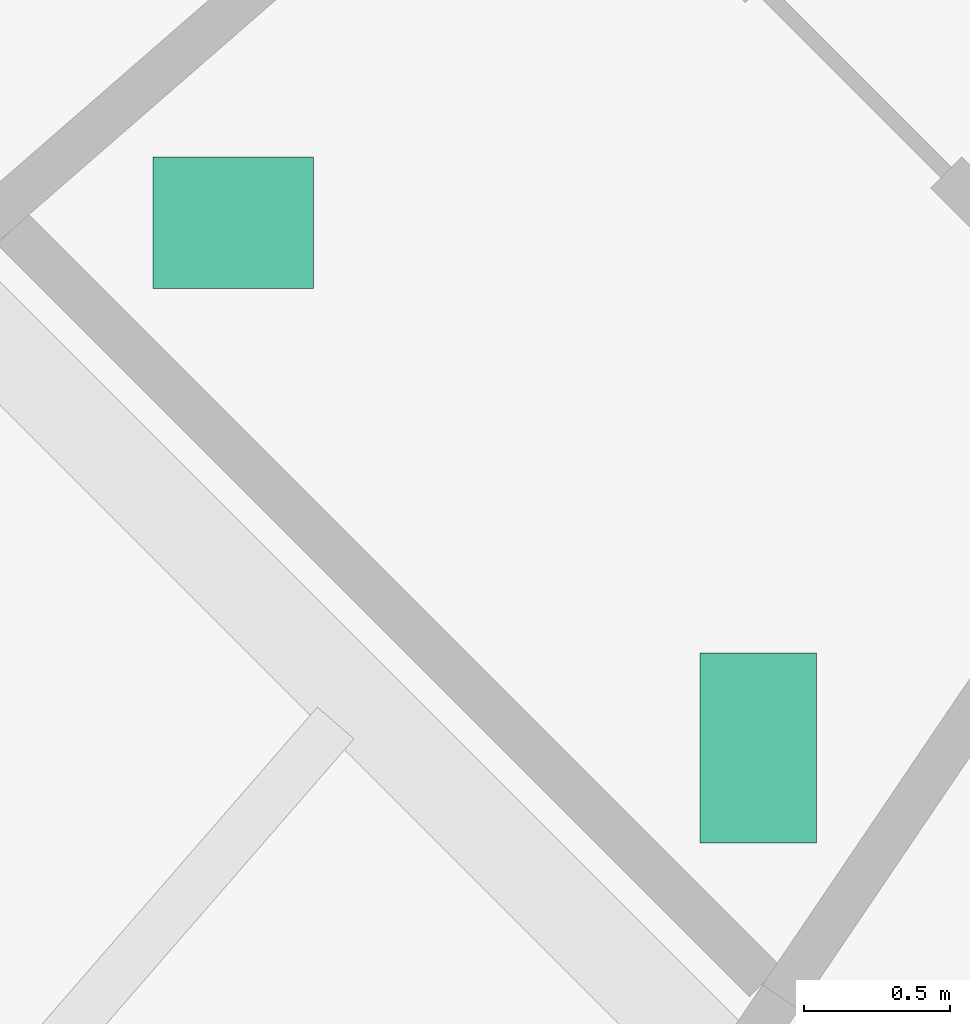
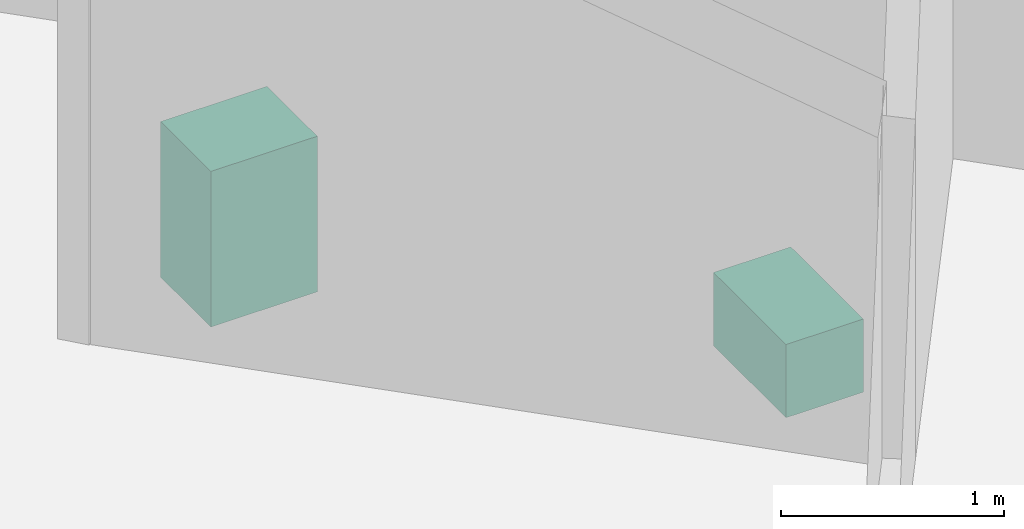
# One storey, part 12 of 12: 2 sanitary terminals.
"""IFC4 building model written with IfcOpenShell, lengths in metres."""

import ifcopenshell
import ifcopenshell.guid

model = None  # the IFC model being written
_history = None  # IfcOwnerHistory: only IFC2X3 demands one
_inside = {}  # id of a spatial element -> (the spatial element, [elements in it])
_under = {}  # id of a project, library or spatial element -> (it, [spatial elements below it])
_declared = {}  # id of a project -> (the project, [libraries it declares])
_typed = {}  # id of a type object -> (the type object, [elements of that type])
_made_of = {}  # id of a material, layer set ... -> (it, [elements and type objects made of it])


def new_model(schema):
    """Start an empty IFC model of exactly this schema.

    Asked for "IFC4X3", IfcOpenShell would pick the latest addendum, in which some entities
    have other attributes; the version numbers below select the first issue.
    IFC2X3 requires an IfcOwnerHistory on every rooted entity: one is made here for all.
    """
    global model, _history
    if schema == "IFC4X3":
        model = ifcopenshell.file(schema_version=(4, 3, 0, 0))
    else:
        model = ifcopenshell.file(schema=schema)
    _inside.clear()
    _under.clear()
    _declared.clear()
    _typed.clear()
    _made_of.clear()
    _history = None
    if model.schema == "IFC2X3":
        org = make("IfcOrganization", Name="unknown")
        user = make(
            "IfcPersonAndOrganization",
            ThePerson=make("IfcPerson", FamilyName="unknown"),
            TheOrganization=org,
        )
        app = make(
            "IfcApplication",
            ApplicationDeveloper=org,
            Version="unknown",
            ApplicationFullName="unknown",
            ApplicationIdentifier="unknown",
        )
        _history = make(
            "IfcOwnerHistory",
            OwningUser=user,
            OwningApplication=app,
            ChangeAction="ADDED",
            CreationDate=0,
        )
    return model


def make(cls, **values):
    """One entity of the class cls with the attributes given. An attribute that is None is left unset."""
    return model.create_entity(
        cls, **{name: value for name, value in values.items() if value is not None}
    )


def rooted(cls, **values):
    """An entity with a GlobalId (a new one), such as an element, a storey or a relation."""
    return make(cls, GlobalId=ifcopenshell.guid.new(), OwnerHistory=_history, **values)


def si_unit(unit_type, name, prefix=None):
    """IfcSIUnit, for example si_unit("LENGTHUNIT", "METRE", prefix="MILLI")."""
    return make("IfcSIUnit", UnitType=unit_type, Prefix=prefix, Name=name)


def assignment(units):
    """IfcUnitAssignment: the units of a project."""
    return None if units is None else make("IfcUnitAssignment", Units=units)


def point(xyz):
    """IfcCartesianPoint."""
    return None if xyz is None else make("IfcCartesianPoint", Coordinates=xyz)


def direction(xyz):
    """IfcDirection."""
    return None if xyz is None else make("IfcDirection", DirectionRatios=xyz)


def frame(location, z_axis=None, x_axis=None):
    """IfcAxis2Placement3D, a coordinate frame: its origin and axes. An axis left out is left unset."""
    return make(
        "IfcAxis2Placement3D",
        Location=point(location),
        Axis=direction(z_axis),
        RefDirection=direction(x_axis),
    )


def frame_2d(location, x_axis=None):
    """IfcAxis2Placement2D, a coordinate frame in the plane: its origin and x axis."""
    return make(
        "IfcAxis2Placement2D", Location=point(location), RefDirection=direction(x_axis)
    )


def origin():
    """The frame at (0, 0, 0) with its axes left unset."""
    return frame((0.0, 0.0, 0.0))


def origin_2d():
    """The frame at (0, 0) in the plane with its x axis left unset."""
    return frame_2d((0.0, 0.0))


def place(relative_to, where):
    """IfcLocalPlacement: puts the frame where relative to a parent placement (None: the world)."""
    return make(
        "IfcLocalPlacement", PlacementRelTo=relative_to, RelativePlacement=where
    )


def context(
    kind, dimensions, precision=None, world=None, true_north=None, identifier=None
):
    """IfcGeometricRepresentationContext, for example the 3D "Model" context."""
    return make(
        "IfcGeometricRepresentationContext",
        ContextIdentifier=identifier,
        ContextType=kind,
        CoordinateSpaceDimension=dimensions,
        Precision=precision,
        WorldCoordinateSystem=world,
        TrueNorth=true_north,
    )


def subcontext(parent, identifier, kind, view, scale=None):
    """IfcGeometricRepresentationSubContext, for example "Body" below "Model"."""
    return make(
        "IfcGeometricRepresentationSubContext",
        ContextIdentifier=identifier,
        ContextType=kind,
        ParentContext=parent,
        TargetScale=scale,
        TargetView=view,
    )


def project(units=None, contexts=None):
    """IfcProject with its units and contexts."""
    return rooted(
        "IfcProject",
        Name="project",
        RepresentationContexts=contexts,
        UnitsInContext=assignment(units),
    )


def spatial(cls, under=None, at=None, **own):
    """A site, building, storey or space (cls), placed at a placement, below another one or the project."""
    s = rooted(cls, ObjectPlacement=at, **own)
    if under is not None:
        _under.setdefault(under.id(), (under, []))[1].append(s)
    return s


def profile(cls, at=None, kind="AREA", **sizes):
    """A parametric profile (cls). Its sizes go by their IFC names, for example OverallWidth=200.0."""
    return make(cls, ProfileType=kind, Position=at, **sizes)


def rectangle(**sizes):
    """IfcRectangleProfileDef."""
    return profile("IfcRectangleProfileDef", **sizes)


def extrude(swept, where, along, depth):
    """IfcExtrudedAreaSolid: the profile swept, set in the frame where, extruded along a direction by depth."""
    return make(
        "IfcExtrudedAreaSolid",
        SweptArea=swept,
        Position=where,
        ExtrudedDirection=direction(along),
        Depth=depth,
    )


def shape(context_of_items, identifier, shape_type, items):
    """IfcShapeRepresentation: the items that make up one representation, for example the "Body"."""
    return make(
        "IfcShapeRepresentation",
        ContextOfItems=context_of_items,
        RepresentationIdentifier=identifier,
        RepresentationType=shape_type,
        Items=items,
    )


def material(Name=None, Category=None):
    """IfcMaterial."""
    return make("IfcMaterial", Name=Name, Category=Category)


def made_of(thing, what):
    """Note that an element or type object is made of a material, layer set ...; save() writes the relation."""
    if what is not None:
        _made_of.setdefault(what.id(), (what, []))[1].append(thing)
    return thing


def type_object(cls, material=None, **own):
    """A type object (cls), such as IfcWallType, which elements share."""
    return made_of(rooted(cls, **own), material)


def element(
    cls,
    number,
    at=None,
    inside=None,
    cuts=None,
    type_object=None,
    material=None,
    context=None,
    identifier="Body",
    shape_type=None,
    held_by="IfcProductDefinitionShape",
    body=None,
    shapes=None,
    **own,
):
    """One element of the class cls, such as IfcWall. Its Tag is "e" and its number.

    at: its placement. inside: the storey or other place that contains it. cuts: it is an
    opening in that element (IfcRelVoidsElement). A single representation is given by context,
    identifier, shape_type and body (its items); several are given by shapes. held_by: the class
    of the entity that holds the representations. save() writes the other relations.
    """
    e = rooted(cls, Tag="e%d" % number, ObjectPlacement=at, **own)
    if body is not None:
        shapes = [shape(context, identifier, shape_type, body)]
    if shapes is not None:
        e.Representation = make(held_by, Representations=shapes)
    if inside is not None:
        _inside.setdefault(inside.id(), (inside, []))[1].append(e)
    if cuts is not None:
        rooted(
            "IfcRelVoidsElement", RelatingBuildingElement=cuts, RelatedOpeningElement=e
        )
    if type_object is not None:
        _typed.setdefault(type_object.id(), (type_object, []))[1].append(e)
    return made_of(e, material)


def aggregate(whole, parts):
    """IfcRelAggregates: a whole, such as a stair, and the parts it consists of."""
    return rooted("IfcRelAggregates", RelatingObject=whole, RelatedObjects=parts)


def save(model, path):
    """Write the relations noted so far, then the file.

    IfcRelAggregates (storeys below a building ...), IfcRelContainedInSpatialStructure (elements
    in a storey), IfcRelDefinesByType, IfcRelAssociatesMaterial and IfcRelDeclares: one each for
    every whole, place, type object, material and project.
    """
    for whole, parts in _under.values():
        aggregate(whole, parts)
    for where, things in _inside.values():
        rooted(
            "IfcRelContainedInSpatialStructure",
            RelatedElements=things,
            RelatingStructure=where,
        )
    for kind, things in _typed.values():
        rooted("IfcRelDefinesByType", RelatedObjects=things, RelatingType=kind)
    for what, things in _made_of.values():
        rooted("IfcRelAssociatesMaterial", RelatedObjects=things, RelatingMaterial=what)
    for by, libraries in _declared.values():
        rooted("IfcRelDeclares", RelatingContext=by, RelatedDefinitions=libraries)
    model.write(path)


model = new_model("IFC4")

# Units and contexts
model_context = context("Model", 3, precision=1e-05, world=origin(), true_north=direction((0.0, 1.0)))
body_context = subcontext(model_context, "Body", "Model", "MODEL_VIEW")
ifc_project = project(units=[si_unit("LENGTHUNIT", "METRE"), si_unit("AREAUNIT", "SQUARE_METRE"), si_unit("VOLUMEUNIT", "CUBIC_METRE"), si_unit("PLANEANGLEUNIT", "RADIAN"), si_unit("MASSUNIT", "GRAM", prefix="KILO")], contexts=[model_context])

# Site, building, storey
site_placement = place(None, origin())
site = spatial("IfcSite", under=ifc_project, at=site_placement, CompositionType="ELEMENT")
building_placement = place(site_placement, origin())
building = spatial("IfcBuilding", under=site, at=building_placement, Name="Nagisa Residences", CompositionType="ELEMENT")
storey_placement = place(building_placement, frame((0.0, 0.0, 315.89990234375)))
storey = spatial("IfcBuildingStorey", under=building, at=storey_placement, Name="L78", CompositionType="ELEMENT", Elevation=315.89990234375)

# Sanitary terminals
ifc_material_1 = material(Name="Vitreous china")
sanitary_terminal_type_1 = type_object("IfcSanitaryTerminalType", Name="WC pan", PredefinedType="WCSEAT", material=ifc_material_1)
sanitary_terminal_1_placement = place(storey_placement, frame((-8.337890625, -11.35498046875, 0.000244140625), z_axis=(0.0, 0.0, 1.0), x_axis=(1.0, 0.0, 0.0)))
element("IfcSanitaryTerminal", 1, at=sanitary_terminal_1_placement, inside=storey, type_object=sanitary_terminal_type_1, Name="fix:L78:r4t9p0:wc", PredefinedType="WCSEAT", context=body_context, shape_type="SweptSolid", body=[
    extrude(rectangle(XDim=0.39990234375, YDim=0.64990234375, at=origin_2d()), origin(), (0.0, 0.0, 1.0), 0.39990234375),
])
ifc_material_2 = material(Name="Vitreous china")
sanitary_terminal_type_2 = type_object("IfcSanitaryTerminalType", Name="Wash basin", PredefinedType="WASHHANDBASIN", material=ifc_material_2)
sanitary_terminal_2_placement = place(storey_placement, frame((-10.137939453125, -9.554931640625, 0.0), z_axis=(0.0, 0.0, 1.0), x_axis=(1.0, 0.0, 0.0)))
element("IfcSanitaryTerminal", 2, at=sanitary_terminal_2_placement, inside=storey, type_object=sanitary_terminal_type_2, Name="fix:L78:r4t9p0:basin", PredefinedType="WASHHANDBASIN", context=body_context, shape_type="SweptSolid", body=[
    extrude(rectangle(XDim=0.550048828125, YDim=0.449951171875, at=origin_2d()), origin(), (0.0, 0.0, 1.0), 0.85009765625),
])

save(model, "model.ifc")
